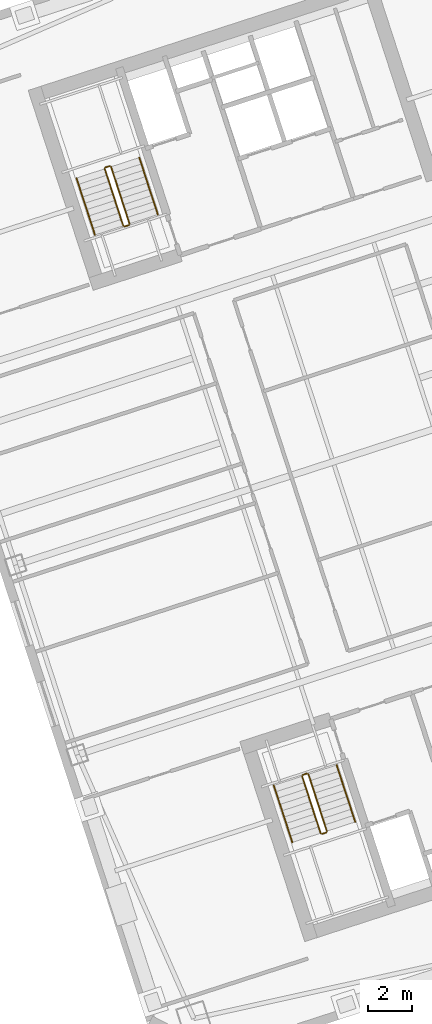
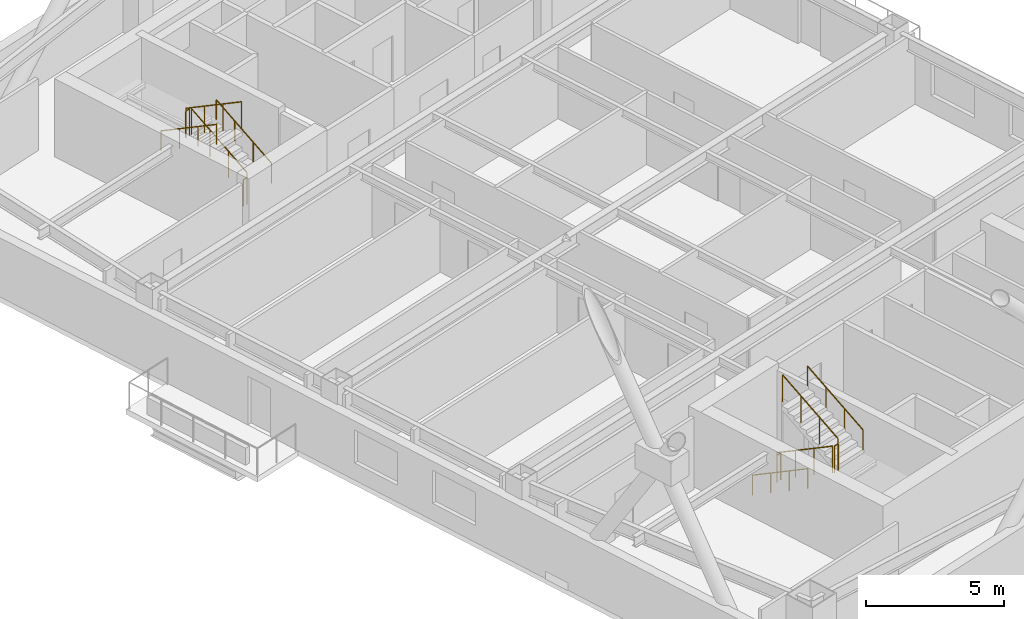
# One storey, part 16 of 17: 12 railings.
"""IFC4 building model written with IfcOpenShell, lengths in metres."""

from ifc_helpers import new_model, si_unit, direction, frame, origin, origin_2d, place, context, subcontext, project, spatial, circle, extrude, material, type_object, element, save


model = new_model("IFC4")

# Units and contexts
model_context = context("Model", 3, precision=1e-05, world=origin(), true_north=direction((0.0, 1.0)))
body_context = subcontext(model_context, "Body", "Model", "MODEL_VIEW")
ifc_project = project(units=[si_unit("LENGTHUNIT", "METRE"), si_unit("AREAUNIT", "SQUARE_METRE"), si_unit("VOLUMEUNIT", "CUBIC_METRE"), si_unit("PLANEANGLEUNIT", "RADIAN"), si_unit("MASSUNIT", "GRAM", prefix="KILO")], contexts=[model_context])

# Site, building, storey
site_placement = place(None, origin())
site = spatial("IfcSite", under=ifc_project, at=site_placement, CompositionType="ELEMENT")
building_placement = place(site_placement, origin())
building = spatial("IfcBuilding", under=site, at=building_placement, Name="Qiaolan Cultural Towers", CompositionType="ELEMENT")
storey_placement = place(building_placement, frame((0.0, 0.0, 177.10009765625)))
storey = spatial("IfcBuildingStorey", under=building, at=storey_placement, Name="L47", CompositionType="ELEMENT", Elevation=177.10009765625)

# Railings
ifc_material_1 = material(Name="Galvanized Painted Steel Stair Guardrail", Category="steel")
railing_type_1 = type_object("IfcRailingType", Name="RL-STAIR-GRD", PredefinedType="GUARDRAIL", material=ifc_material_1)
railing_1_placement = place(storey_placement, frame((88.60205078125, 19.82421875, 0.17236328125)))
element("IfcRailing", 1, at=railing_1_placement, inside=storey, type_object=railing_type_1, Name="L47 ST-E1 stair guard 1", PredefinedType="GUARDRAIL", context=body_context, shape_type="SweptSolid", body=[
    extrude(circle(Radius=0.02392578125, at=origin_2d()), frame((0.0, 0.0, 1.17578125), z_axis=(0.267925668498, -0.824471088726, 0.498460891159), x_axis=(0.951043371037, 0.309057448393, 0.0)), (0.0, 0.0, 1.0), 3.114501953125),
    extrude(circle(Radius=0.02099609375, at=origin_2d()), origin(), (0.0, 0.0, 1.0), 1.15185546875),
    extrude(circle(Radius=0.02099609375, at=origin_2d()), frame((0.278076171875, -0.85595703125, 0.517578125)), (0.0, 0.0, 1.0), 1.15185546875),
    extrude(circle(Radius=0.02099609375, at=origin_2d()), frame((0.556396484375, -1.7119140625, 1.034912109375)), (0.0, 0.0, 1.0), 1.15185546875),
    extrude(circle(Radius=0.02099609375, at=origin_2d()), frame((0.83447265625, -2.56787109375, 1.552490234375)), (0.0, 0.0, 1.0), 1.15185546875),
])
railing_2_placement = place(storey_placement, frame((89.49951171875, 17.224365234375, 1.724853515625)))
element("IfcRailing", 2, at=railing_2_placement, inside=storey, type_object=railing_type_1, Name="L47 ST-E1 stair guard 2", PredefinedType="GUARDRAIL", context=body_context, shape_type="SweptSolid", body=[
    extrude(circle(Radius=0.02392578125, at=origin_2d()), frame((0.0, 0.0, 1.17578125), z_axis=(0.951096855055, 0.308892816854, 0.0), x_axis=(-0.308892816854, 0.951096855055, 0.0)), (0.0, 0.0, 1.0), 0.199951171875),
    extrude(circle(Radius=0.02099609375, at=origin_2d()), origin(), (0.0, 0.0, 1.0), 1.15185546875),
    extrude(circle(Radius=0.02099609375, at=origin_2d()), frame((0.190185546875, 0.061767578125, 0.0)), (0.0, 0.0, 1.0), 1.15185546875),
])
railing_3_placement = place(storey_placement, frame((89.721923828125, 17.34912109375, 1.8974609375)))
element("IfcRailing", 3, at=railing_3_placement, inside=storey, type_object=railing_type_1, Name="L47 ST-E1 stair guard 3", PredefinedType="GUARDRAIL", context=body_context, shape_type="SweptSolid", body=[
    extrude(circle(Radius=0.02392578125, at=origin_2d()), frame((0.0, 0.0, 1.17578125), z_axis=(-0.267925668498, 0.824471088726, 0.498460891159), x_axis=(-0.951043371037, -0.309057448393, 0.0)), (0.0, 0.0, 1.0), 3.114501953125),
    extrude(circle(Radius=0.02099609375, at=origin_2d()), origin(), (0.0, 0.0, 1.0), 1.15185546875),
    extrude(circle(Radius=0.02099609375, at=origin_2d()), frame((-0.278076171875, 0.85595703125, 0.517578125)), (0.0, 0.0, 1.0), 1.15185546875),
    extrude(circle(Radius=0.02099609375, at=origin_2d()), frame((-0.556396484375, 1.7119140625, 1.034912109375)), (0.0, 0.0, 1.0), 1.15185546875),
    extrude(circle(Radius=0.02099609375, at=origin_2d()), frame((-0.83447265625, 2.56787109375, 1.552490234375)), (0.0, 0.0, 1.0), 1.15185546875),
])
railing_4_placement = place(storey_placement, frame((88.63427734375, 19.88720703125, 0.0)))
element("IfcRailing", 4, at=railing_4_placement, inside=storey, type_object=railing_type_1, Name="L47 ST-E1 stair guard 4", PredefinedType="GUARDRAIL", context=body_context, shape_type="SweptSolid", body=[
    extrude(circle(Radius=0.02392578125, at=origin_2d()), frame((0.0, 0.0, 1.17578125), z_axis=(0.951096855055, 0.308892816854, 0.0), x_axis=(-0.308892816854, 0.951096855055, 0.0)), (0.0, 0.0, 1.0), 0.199951171875),
    extrude(circle(Radius=0.02099609375, at=origin_2d()), origin(), (0.0, 0.0, 1.0), 1.15185546875),
    extrude(circle(Radius=0.02099609375, at=origin_2d()), frame((0.190185546875, 0.061767578125, 0.0)), (0.0, 0.0, 1.0), 1.15185546875),
])
railing_5_placement = place(storey_placement, frame((80.822021484375, 44.739501953125, 0.17236328125)))
element("IfcRailing", 5, at=railing_5_placement, inside=storey, type_object=railing_type_1, Name="L47 ST-E2 stair guard 1", PredefinedType="GUARDRAIL", context=body_context, shape_type="SweptSolid", body=[
    extrude(circle(Radius=0.02392578125, at=origin_2d()), frame((0.0, 0.0, 1.17578125), z_axis=(-0.26785290645, 0.824488402118, 0.498471358535), x_axis=(-0.951069945308, -0.308975661068, 0.0)), (0.0, 0.0, 1.0), 3.114501953125),
    extrude(circle(Radius=0.02099609375, at=origin_2d()), origin(), (0.0, 0.0, 1.0), 1.15185546875),
    extrude(circle(Radius=0.02099609375, at=origin_2d()), frame((-0.278076171875, 0.85595703125, 0.517578125)), (0.0, 0.0, 1.0), 1.15185546875),
    extrude(circle(Radius=0.02099609375, at=origin_2d()), frame((-0.55615234375, 1.7119140625, 1.034912109375)), (0.0, 0.0, 1.0), 1.15185546875),
    extrude(circle(Radius=0.02099609375, at=origin_2d()), frame((-0.834228515625, 2.56787109375, 1.552490234375)), (0.0, 0.0, 1.0), 1.15185546875),
])
railing_6_placement = place(storey_placement, frame((79.9248046875, 47.33935546875, 1.724853515625)))
element("IfcRailing", 6, at=railing_6_placement, inside=storey, type_object=railing_type_1, Name="L47 ST-E2 stair guard 2", PredefinedType="GUARDRAIL", context=body_context, shape_type="SweptSolid", body=[
    extrude(circle(Radius=0.02392578125, at=origin_2d()), frame((0.0, 0.0, 1.17578125), z_axis=(-0.951096855055, -0.308892816854, 0.0), x_axis=(0.308892816854, -0.951096855055, 0.0)), (0.0, 0.0, 1.0), 0.199951171875),
    extrude(circle(Radius=0.02099609375, at=origin_2d()), origin(), (0.0, 0.0, 1.0), 1.15185546875),
    extrude(circle(Radius=0.02099609375, at=origin_2d()), frame((-0.190185546875, -0.061767578125, 0.0)), (0.0, 0.0, 1.0), 1.15185546875),
])
railing_7_placement = place(storey_placement, frame((79.702392578125, 47.214599609375, 1.8974609375)))
element("IfcRailing", 7, at=railing_7_placement, inside=storey, type_object=railing_type_1, Name="L47 ST-E2 stair guard 3", PredefinedType="GUARDRAIL", context=body_context, shape_type="SweptSolid", body=[
    extrude(circle(Radius=0.02392578125, at=origin_2d()), frame((0.0, 0.0, 1.17578125), z_axis=(0.267925668498, -0.824471088726, 0.498460891159), x_axis=(0.951043371037, 0.309057448393, 0.0)), (0.0, 0.0, 1.0), 3.114501953125),
    extrude(circle(Radius=0.02099609375, at=origin_2d()), origin(), (0.0, 0.0, 1.0), 1.15185546875),
    extrude(circle(Radius=0.02099609375, at=origin_2d()), frame((0.278076171875, -0.85595703125, 0.517578125)), (0.0, 0.0, 1.0), 1.15185546875),
    extrude(circle(Radius=0.02099609375, at=origin_2d()), frame((0.556396484375, -1.7119140625, 1.034912109375)), (0.0, 0.0, 1.0), 1.15185546875),
    extrude(circle(Radius=0.02099609375, at=origin_2d()), frame((0.83447265625, -2.56787109375, 1.552490234375)), (0.0, 0.0, 1.0), 1.15185546875),
])
railing_8_placement = place(storey_placement, frame((80.7900390625, 44.676513671875, 0.0)))
element("IfcRailing", 8, at=railing_8_placement, inside=storey, type_object=railing_type_1, Name="L47 ST-E2 stair guard 4", PredefinedType="GUARDRAIL", context=body_context, shape_type="SweptSolid", body=[
    extrude(circle(Radius=0.02392578125, at=origin_2d()), frame((0.0, 0.0, 1.17578125), z_axis=(-0.951096855055, -0.308892816854, 0.0), x_axis=(0.308892816854, -0.951096855055, 0.0)), (0.0, 0.0, 1.0), 0.199951171875),
    extrude(circle(Radius=0.02099609375, at=origin_2d()), origin(), (0.0, 0.0, 1.0), 1.15185546875),
    extrude(circle(Radius=0.02099609375, at=origin_2d()), frame((-0.190185546875, -0.061767578125, 0.0)), (0.0, 0.0, 1.0), 1.15185546875),
])
ifc_material_2 = material(Name="Stainless Steel S30408 Tubular Handrail", Category="steel")
railing_type_2 = type_object("IfcRailingType", Name="RL-STAIR-HR", PredefinedType="HANDRAIL", material=ifc_material_2)
railing_9_placement = place(storey_placement, frame((87.32763671875, 19.41015625, 0.17236328125)))
element("IfcRailing", 9, at=railing_9_placement, inside=storey, type_object=railing_type_2, Name="L47 ST-E1 stair handrail 1", PredefinedType="HANDRAIL", context=body_context, shape_type="SweptSolid", body=[
    extrude(circle(Radius=0.02392578125, at=origin_2d()), frame((0.0, 0.0, 0.8759765625), z_axis=(0.267925668498, -0.824471088726, 0.498460891159), x_axis=(0.951043371037, 0.309057448393, 0.0)), (0.0, 0.0, 1.0), 3.114501953125),
    extrude(circle(Radius=0.02099609375, at=origin_2d()), origin(), (0.0, 0.0, 1.0), 0.851806640625),
    extrude(circle(Radius=0.02099609375, at=origin_2d()), frame((0.278076171875, -0.85595703125, 0.517578125)), (0.0, 0.0, 1.0), 0.851806640625),
    extrude(circle(Radius=0.02099609375, at=origin_2d()), frame((0.556396484375, -1.7119140625, 1.034912109375)), (0.0, 0.0, 1.0), 0.851806640625),
    extrude(circle(Radius=0.02099609375, at=origin_2d()), frame((0.83447265625, -2.56787109375, 1.552490234375)), (0.0, 0.0, 1.0), 0.851806640625),
])
railing_10_placement = place(storey_placement, frame((90.996337890625, 17.76318359375, 1.8974609375)))
element("IfcRailing", 10, at=railing_10_placement, inside=storey, type_object=railing_type_2, Name="L47 ST-E1 stair handrail 2", PredefinedType="HANDRAIL", context=body_context, shape_type="SweptSolid", body=[
    extrude(circle(Radius=0.02392578125, at=origin_2d()), frame((0.0, 0.0, 0.8759765625), z_axis=(-0.267925668498, 0.824471088726, 0.498460891159), x_axis=(-0.951043371037, -0.309057448393, 0.0)), (0.0, 0.0, 1.0), 3.114501953125),
    extrude(circle(Radius=0.02099609375, at=origin_2d()), origin(), (0.0, 0.0, 1.0), 0.851806640625),
    extrude(circle(Radius=0.02099609375, at=origin_2d()), frame((-0.278076171875, 0.85595703125, 0.517578125)), (0.0, 0.0, 1.0), 0.851806640625),
    extrude(circle(Radius=0.02099609375, at=origin_2d()), frame((-0.556396484375, 1.7119140625, 1.034912109375)), (0.0, 0.0, 1.0), 0.851806640625),
    extrude(circle(Radius=0.02099609375, at=origin_2d()), frame((-0.83447265625, 2.56787109375, 1.552490234375)), (0.0, 0.0, 1.0), 0.851806640625),
])
railing_11_placement = place(storey_placement, frame((82.096435546875, 45.153564453125, 0.17236328125)))
element("IfcRailing", 11, at=railing_11_placement, inside=storey, type_object=railing_type_2, Name="L47 ST-E2 stair handrail 1", PredefinedType="HANDRAIL", context=body_context, shape_type="SweptSolid", body=[
    extrude(circle(Radius=0.02392578125, at=origin_2d()), frame((0.0, 0.0, 0.8759765625), z_axis=(-0.26785290645, 0.824488402118, 0.498471358535), x_axis=(-0.951069945308, -0.308975661068, 0.0)), (0.0, 0.0, 1.0), 3.114501953125),
    extrude(circle(Radius=0.02099609375, at=origin_2d()), origin(), (0.0, 0.0, 1.0), 0.851806640625),
    extrude(circle(Radius=0.02099609375, at=origin_2d()), frame((-0.278076171875, 0.85595703125, 0.517578125)), (0.0, 0.0, 1.0), 0.851806640625),
    extrude(circle(Radius=0.02099609375, at=origin_2d()), frame((-0.55615234375, 1.7119140625, 1.034912109375)), (0.0, 0.0, 1.0), 0.851806640625),
    extrude(circle(Radius=0.02099609375, at=origin_2d()), frame((-0.834228515625, 2.56787109375, 1.552490234375)), (0.0, 0.0, 1.0), 0.851806640625),
])
railing_12_placement = place(storey_placement, frame((78.427978515625, 46.800537109375, 1.8974609375)))
element("IfcRailing", 12, at=railing_12_placement, inside=storey, type_object=railing_type_2, Name="L47 ST-E2 stair handrail 2", PredefinedType="HANDRAIL", context=body_context, shape_type="SweptSolid", body=[
    extrude(circle(Radius=0.02392578125, at=origin_2d()), frame((0.0, 0.0, 0.8759765625), z_axis=(0.267925668498, -0.824471088726, 0.498460891159), x_axis=(0.951043371037, 0.309057448393, 0.0)), (0.0, 0.0, 1.0), 3.114501953125),
    extrude(circle(Radius=0.02099609375, at=origin_2d()), origin(), (0.0, 0.0, 1.0), 0.851806640625),
    extrude(circle(Radius=0.02099609375, at=origin_2d()), frame((0.278076171875, -0.85595703125, 0.517578125)), (0.0, 0.0, 1.0), 0.851806640625),
    extrude(circle(Radius=0.02099609375, at=origin_2d()), frame((0.556396484375, -1.7119140625, 1.034912109375)), (0.0, 0.0, 1.0), 0.851806640625),
    extrude(circle(Radius=0.02099609375, at=origin_2d()), frame((0.83447265625, -2.56787109375, 1.552490234375)), (0.0, 0.0, 1.0), 0.851806640625),
])

save(model, "model.ifc")
